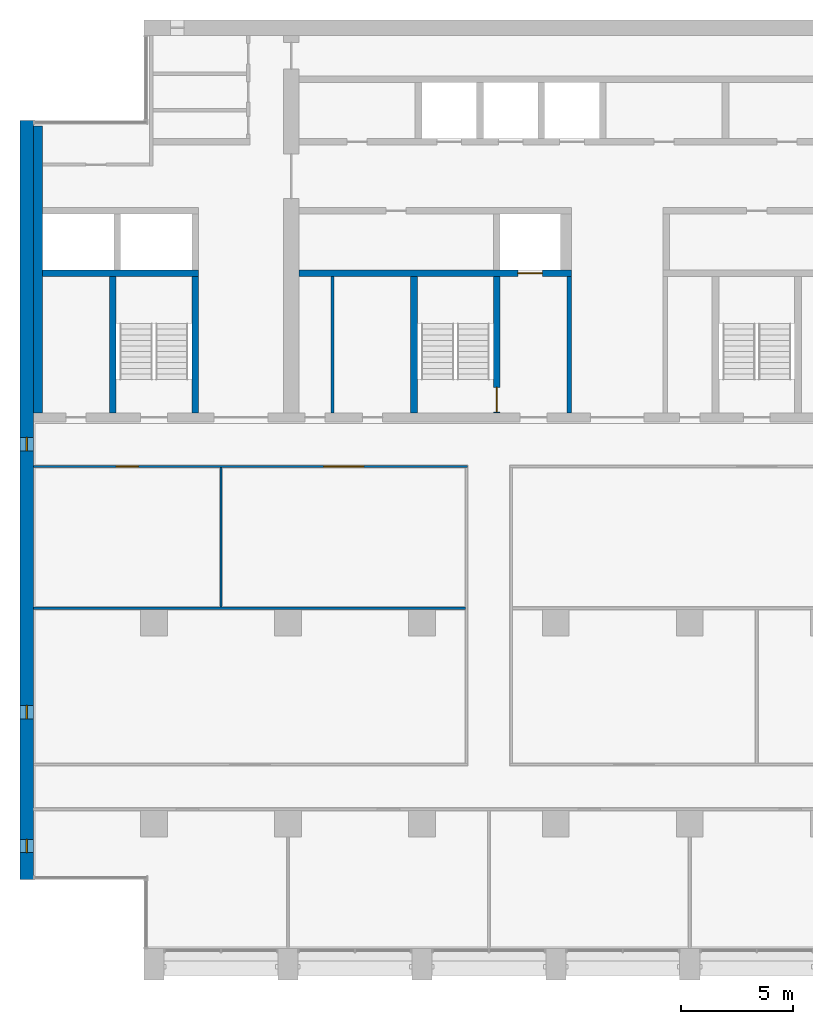
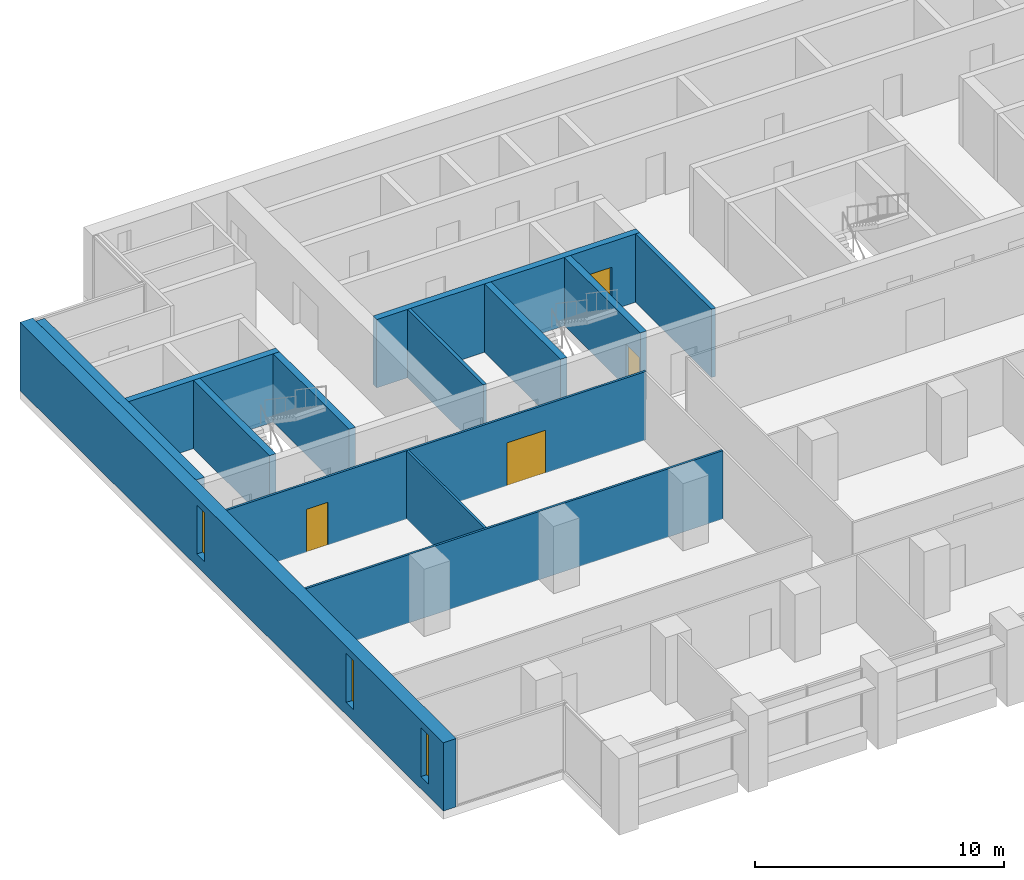
# One storey, part 8 of 17: 13 walls, 4 doors, 3 windows, 7 openings.
"""IFC4 building model written with IfcOpenShell, lengths in metres."""

from ifc_helpers import new_model, si_unit, direction, frame, frame_2d, origin, place, context, subcontext, project, spatial, rectangle, extrude, material, layer, layer_set, type_object, element, fill, save


model = new_model("IFC4")

# Units and contexts
model_context = context("Model", 3, precision=1e-05, world=origin(), true_north=direction((0.0, 1.0)))
body_context = subcontext(model_context, "Body", "Model", "MODEL_VIEW")
ifc_project = project(units=[si_unit("LENGTHUNIT", "METRE"), si_unit("AREAUNIT", "SQUARE_METRE"), si_unit("VOLUMEUNIT", "CUBIC_METRE"), si_unit("PLANEANGLEUNIT", "RADIAN"), si_unit("MASSUNIT", "GRAM", prefix="KILO")], contexts=[model_context])

# Site, building, storey
site_placement = place(None, origin())
site = spatial("IfcSite", under=ifc_project, at=site_placement, CompositionType="ELEMENT")
building_placement = place(site_placement, origin())
building = spatial("IfcBuilding", under=site, at=building_placement, Name="Calvaro Tower", CompositionType="ELEMENT")
storey_placement = place(building_placement, frame((0.0, 0.0, 174.25)))
storey = spatial("IfcBuildingStorey", under=building, at=storey_placement, Name="L43", CompositionType="ELEMENT", Elevation=174.25)

# Walls
ifc_material_1 = material(Name="Blockwork partition", Category="masonry")
ifc_layer_1 = layer(ifc_material_1, 0.14990234375)
ifc_layer_set_1 = layer_set([ifc_layer_1], Name="Blockwork partition")
wall_type_1 = type_object("IfcWallType", Name="Core partition 150 REI 120", PredefinedType="PARTITIONING", material=ifc_layer_set_1)
wall_1_placement = place(storey_placement, frame((20.0, 28.39990234375, 0.0), z_axis=(0.0, 0.0, 1.0), x_axis=(0.0, 1.0, 0.0)))
element("IfcWall", 1, at=wall_1_placement, inside=storey, type_object=wall_type_1, Name="Core partition", PredefinedType="PARTITIONING", context=body_context, shape_type="SweptSolid", body=[
    extrude(rectangle(XDim=6.10009765625, YDim=0.14990234375, at=frame_2d((3.050048828125, 0.0))), origin(), (0.0, 0.0, 1.0), 3.35009765625),
])
ifc_material_2 = material(Name="Blockwork partition", Category="masonry")
ifc_layer_2 = layer(ifc_material_2, 0.199951171875)
ifc_layer_set_2 = layer_set([ifc_layer_2], Name="Blockwork partition")
wall_type_2 = type_object("IfcWallType", Name="Core partition 200 REI 120", PredefinedType="PARTITIONING", material=ifc_layer_set_2)
wall_2_placement = place(storey_placement, frame((30.60009765625, 28.39990234375, 0.0), z_axis=(0.0, 0.0, 1.0), x_axis=(0.0, 1.0, 0.0)))
element("IfcWall", 2, at=wall_2_placement, inside=storey, type_object=wall_type_2, Name="Core partition", PredefinedType="PARTITIONING", context=body_context, shape_type="SweptSolid", body=[
    extrude(rectangle(XDim=6.10009765625, YDim=0.199951171875, at=frame_2d((3.050048828125, 0.0))), origin(), (0.0, 0.0, 1.0), 3.35009765625),
])
ifc_material_3 = material(Name="Concrete C50/60", Category="concrete")
ifc_layer_3 = layer(ifc_material_3, 0.300048828125)
ifc_layer_set_3 = layer_set([ifc_layer_3], Name="Concrete C50/60")
wall_type_3 = type_object("IfcWallType", Name="Core wall C50/60 300", PredefinedType="SHEAR", material=ifc_layer_set_3)
for number, where, z_axis, x_axis, name in (
    (3, (10.14990234375, 28.39990234375, 0.0), (0.0, 0.0, 1.0), (0.0, 1.0, 0.0), "Core wall, stair enclosure"),
    (4, (13.85009765625, 28.39990234375, 0.0), (0.0, 0.0, 1.0), (0.0, 1.0, 0.0), "Core wall, stair enclosure"),
    (5, (23.64990234375, 28.39990234375, 0.0), (0.0, 0.0, 1.0), (0.0, 1.0, 0.0), "Core wall, stair enclosure"),
):
    element("IfcWall", number, at=place(storey_placement, frame(where, z_axis=z_axis, x_axis=x_axis)), inside=storey, type_object=wall_type_3, Name=name, PredefinedType="SHEAR", context=body_context, shape_type="SweptSolid", body=[
        extrude(rectangle(XDim=6.10009765625, YDim=0.300048828125, at=frame_2d((3.050048828125, 0.0))), origin(), (0.0, 0.0, 1.0), 3.35009765625),
    ])

# Wall, opening, door
wall_3_placement = place(storey_placement, frame((27.35009765625, 28.39990234375, 0.0), z_axis=(0.0, 0.0, 1.0), x_axis=(0.0, 1.0, 0.0)))
wall_3 = element("IfcWall", 6, at=wall_3_placement, inside=storey, type_object=wall_type_3, Name="Core wall, stair enclosure", PredefinedType="SHEAR", context=body_context, shape_type="SweptSolid", body=[
    extrude(rectangle(XDim=6.10009765625, YDim=0.300048828125, at=frame_2d((3.050048828125, 0.0))), origin(), (0.0, 0.0, 1.0), 3.35009765625),
])
opening_1_placement = place(wall_3_placement, frame((0.050048828125, 0.0, 0.0)))
opening_1 = element("IfcOpeningElement", 7, at=opening_1_placement, cuts=wall_3, Name="Opening FD11D", PredefinedType="OPENING", context=body_context, shape_type="SweptSolid", body=[
    extrude(rectangle(XDim=1.10009765625, YDim=2.10009765625, at=frame_2d((0.550048828125, 1.050048828125))), frame((0.0, 0.159912109375, 0.0), z_axis=(0.0, -1.0, 0.0), x_axis=(1.0, 0.0, 0.0)), (0.0, 0.0, 1.0), 0.320068359375),
])
ifc_material_4 = material(Name="Steel door set", Category="steel")
door_type_1 = type_object("IfcDoorType", Name="Fire door 1100 FD30S", OperationType="SINGLE_SWING_LEFT", PredefinedType="DOOR", material=ifc_material_4)
door_1_placement = place(opening_1_placement, origin())
door_1 = element("IfcDoor", 8, at=door_1_placement, inside=storey, type_object=door_type_1, Name="Fire door", OperationType="SINGLE_SWING_LEFT", OverallHeight=2.10009765625, OverallWidth=1.10009765625, PredefinedType="DOOR", context=body_context, shape_type="SweptSolid", body=[
    extrude(rectangle(XDim=1.10009765625, YDim=2.10009765625, at=frame_2d((0.550048828125, 1.050048828125))), frame((0.0, 0.02490234375, 0.0), z_axis=(0.0, -1.0, 0.0), x_axis=(1.0, 0.0, 0.0)), (0.0, 0.0, 1.0), 0.050048828125),
])
fill(opening_1, door_1)

# Wall
wall_4_placement = place(storey_placement, frame((7.0, 34.64990234375, 0.0), z_axis=(0.0, 0.0, 1.0), x_axis=(1.0, 0.0, 0.0)))
element("IfcWall", 9, at=wall_4_placement, inside=storey, type_object=wall_type_3, Name="Core wall, lift shaft", PredefinedType="SHEAR", context=body_context, shape_type="SweptSolid", body=[
    extrude(rectangle(XDim=7.0, YDim=0.300048828125, at=frame_2d((3.5, 0.0))), origin(), (0.0, 0.0, 1.0), 3.35009765625),
])

# Wall, opening, door
wall_5_placement = place(storey_placement, frame((18.5, 34.64990234375, 0.0), z_axis=(0.0, 0.0, 1.0), x_axis=(1.0, 0.0, 0.0)))
wall_5 = element("IfcWall", 10, at=wall_5_placement, inside=storey, type_object=wall_type_3, Name="Core wall, lift shaft", PredefinedType="SHEAR", context=body_context, shape_type="SweptSolid", body=[
    extrude(rectangle(XDim=12.199951171875, YDim=0.300048828125, at=frame_2d((6.10009765625, 0.0))), origin(), (0.0, 0.0, 1.0), 3.35009765625),
])
opening_2_placement = place(wall_5_placement, frame((9.800048828125, 0.0, 0.0)))
opening_2 = element("IfcOpeningElement", 11, at=opening_2_placement, cuts=wall_5, Name="Opening FF1", PredefinedType="OPENING", context=body_context, shape_type="SweptSolid", body=[
    extrude(rectangle(XDim=1.10009765625, YDim=2.10009765625, at=frame_2d((0.550048828125, 1.050048828125))), frame((0.0, 0.159912109375, 0.0), z_axis=(0.0, -1.0, 0.0), x_axis=(1.0, 0.0, 0.0)), (0.0, 0.0, 1.0), 0.320068359375),
])
ifc_material_5 = material(Name="Stainless steel", Category="steel")
door_type_2 = type_object("IfcDoorType", Name="Landing door 1100 E 60", OperationType="SLIDING_TO_LEFT", PredefinedType="DOOR", material=ifc_material_5)
door_2_placement = place(opening_2_placement, origin())
door_2 = element("IfcDoor", 12, at=door_2_placement, inside=storey, type_object=door_type_2, Name="Landing door FF1", OperationType="SLIDING_TO_LEFT", OverallHeight=2.10009765625, OverallWidth=1.10009765625, PredefinedType="DOOR", context=body_context, shape_type="SweptSolid", body=[
    extrude(rectangle(XDim=1.10009765625, YDim=2.10009765625, at=frame_2d((0.550048828125, 1.050048828125))), frame((0.0, 0.02490234375, 0.0), z_axis=(0.0, -1.0, 0.0), x_axis=(1.0, 0.0, 0.0)), (0.0, 0.0, 1.0), 0.050048828125),
])
fill(opening_2, door_2)

# Wall
ifc_material_6 = material(Name="Concrete C50/60", Category="concrete")
ifc_layer_4 = layer(ifc_material_6, 0.39990234375)
ifc_layer_set_4 = layer_set([ifc_layer_4], Name="Concrete C50/60")
wall_type_4 = type_object("IfcWallType", Name="Core wall C50/60 400", PredefinedType="SHEAR", material=ifc_layer_set_4)
wall_6_placement = place(storey_placement, frame((6.800048828125, 28.39990234375, 0.0), z_axis=(0.0, 0.0, 1.0), x_axis=(0.0, 1.0, 0.0)))
element("IfcWall", 13, at=wall_6_placement, inside=storey, type_object=wall_type_4, Name="Core wall, boundary", PredefinedType="SHEAR", context=body_context, shape_type="SweptSolid", body=[
    extrude(rectangle(XDim=12.85009765625, YDim=0.39990234375, at=frame_2d((6.425048828125, 0.0))), origin(), (0.0, 0.0, 1.0), 3.35009765625),
])

# Wall, openings, windows
ifc_material_7 = material(Name="Concrete C50/60", Category="concrete")
ifc_layer_5 = layer(ifc_material_7, 0.60009765625)
ifc_layer_set_5 = layer_set([ifc_layer_5], Name="Concrete C50/60")
wall_type_5 = type_object("IfcWallType", Name="End wall 600 C50/60", PredefinedType="SHEAR", material=ifc_layer_set_5)
wall_7_placement = place(storey_placement, frame((6.300048828125, 7.5, 0.0), z_axis=(0.0, 0.0, 1.0), x_axis=(0.0, 1.0, 0.0)))
wall_7 = element("IfcWall", 14, at=wall_7_placement, inside=storey, type_object=wall_type_5, Name="End shear wall", PredefinedType="SHEAR", context=body_context, shape_type="SweptSolid", body=[
    extrude(rectangle(XDim=34.0, YDim=0.60009765625, at=frame_2d((17.0, 0.0))), origin(), (0.0, 0.0, 1.0), 3.35009765625),
])
opening_3_placement = place(wall_7_placement, frame((1.199951171875, 0.0, 0.60009765625)))
opening_3 = element("IfcOpeningElement", 15, at=opening_3_placement, cuts=wall_7, Name="Opening WW01", PredefinedType="OPENING", context=body_context, shape_type="SweptSolid", body=[
    extrude(rectangle(XDim=0.60009765625, YDim=2.39990234375, at=frame_2d((0.300048828125, 1.199951171875))), frame((0.0, 0.31005859375, 0.0), z_axis=(0.0, -1.0, 0.0), x_axis=(1.0, 0.0, 0.0)), (0.0, 0.0, 1.0), 0.6201171875),
])
opening_4_placement = place(wall_7_placement, frame((7.199951171875, 0.0, 0.60009765625)))
opening_4 = element("IfcOpeningElement", 16, at=opening_4_placement, cuts=wall_7, Name="Opening WW02", PredefinedType="OPENING", context=body_context, shape_type="SweptSolid", body=[
    extrude(rectangle(XDim=0.60009765625, YDim=2.39990234375, at=frame_2d((0.300048828125, 1.199951171875))), frame((0.0, 0.31005859375, 0.0), z_axis=(0.0, -1.0, 0.0), x_axis=(1.0, 0.0, 0.0)), (0.0, 0.0, 1.0), 0.6201171875),
])
opening_5_placement = place(wall_7_placement, frame((19.199951171875, 0.0, 0.60009765625)))
opening_5 = element("IfcOpeningElement", 17, at=opening_5_placement, cuts=wall_7, Name="Opening WW04", PredefinedType="OPENING", context=body_context, shape_type="SweptSolid", body=[
    extrude(rectangle(XDim=0.60009765625, YDim=2.39990234375, at=frame_2d((0.300048828125, 1.199951171875))), frame((0.0, 0.31005859375, 0.0), z_axis=(0.0, -1.0, 0.0), x_axis=(1.0, 0.0, 0.0)), (0.0, 0.0, 1.0), 0.6201171875),
])
ifc_material_8 = material(Name="Glass", Category="glass")
window_type = type_object("IfcWindowType", Name="Slit window 600 x 2400", PartitioningType="SINGLE_PANEL", PredefinedType="WINDOW", material=ifc_material_8)
window_1_placement = place(opening_3_placement, origin())
window_1 = element("IfcWindow", 18, at=window_1_placement, inside=storey, type_object=window_type, Name="Window WW01", OverallHeight=2.39990234375, OverallWidth=0.60009765625, PartitioningType="SINGLE_PANEL", PredefinedType="WINDOW", context=body_context, shape_type="SweptSolid", body=[
    extrude(rectangle(XDim=0.60009765625, YDim=2.39990234375, at=frame_2d((0.300048828125, 1.199951171875))), frame((0.0, 0.030029296875, 0.0), z_axis=(0.0, -1.0, 0.0), x_axis=(1.0, 0.0, 0.0)), (0.0, 0.0, 1.0), 0.06005859375),
])
fill(opening_3, window_1)
window_2_placement = place(opening_4_placement, origin())
window_2 = element("IfcWindow", 19, at=window_2_placement, inside=storey, type_object=window_type, Name="Window WW02", OverallHeight=2.39990234375, OverallWidth=0.60009765625, PartitioningType="SINGLE_PANEL", PredefinedType="WINDOW", context=body_context, shape_type="SweptSolid", body=[
    extrude(rectangle(XDim=0.60009765625, YDim=2.39990234375, at=frame_2d((0.300048828125, 1.199951171875))), frame((0.0, 0.030029296875, 0.0), z_axis=(0.0, -1.0, 0.0), x_axis=(1.0, 0.0, 0.0)), (0.0, 0.0, 1.0), 0.06005859375),
])
fill(opening_4, window_2)
window_3_placement = place(opening_5_placement, origin())
window_3 = element("IfcWindow", 20, at=window_3_placement, inside=storey, type_object=window_type, Name="Window WW04", OverallHeight=2.39990234375, OverallWidth=0.60009765625, PartitioningType="SINGLE_PANEL", PredefinedType="WINDOW", context=body_context, shape_type="SweptSolid", body=[
    extrude(rectangle(XDim=0.60009765625, YDim=2.39990234375, at=frame_2d((0.300048828125, 1.199951171875))), frame((0.0, 0.030029296875, 0.0), z_axis=(0.0, -1.0, 0.0), x_axis=(1.0, 0.0, 0.0)), (0.0, 0.0, 1.0), 0.06005859375),
])
fill(opening_5, window_3)

# Wall
ifc_material_9 = material(Name="Plasterboard on steel studs", Category="steel")
ifc_layer_6 = layer(ifc_material_9, 0.10009765625)
ifc_layer_set_6 = layer_set([ifc_layer_6], Name="Plasterboard on steel studs")
wall_type_6 = type_object("IfcWallType", Name="Partition 100", PredefinedType="PARTITIONING", material=ifc_layer_set_6)
wall_8_placement = place(storey_placement, frame((6.60009765625, 19.64990234375, 0.0), z_axis=(0.0, 0.0, 1.0), x_axis=(1.0, 0.0, 0.0)))
element("IfcWall", 21, at=wall_8_placement, inside=storey, type_object=wall_type_6, Name="Partition T25.W005", PredefinedType="PARTITIONING", context=body_context, shape_type="SweptSolid", body=[
    extrude(rectangle(XDim=19.349853515625, YDim=0.10009765625, at=frame_2d((9.6748046875, 0.0))), origin(), (0.0, 0.0, 1.0), 3.35009765625),
])

# Wall, openings, doors
ifc_material_10 = material(Name="Plasterboard on steel studs", Category="steel")
ifc_layer_7 = layer(ifc_material_10, 0.10009765625)
ifc_layer_set_7 = layer_set([ifc_layer_7], Name="Plasterboard on steel studs")
wall_type_7 = type_object("IfcWallType", Name="Partition 100 REI 120", PredefinedType="PARTITIONING", material=ifc_layer_set_7)
wall_9_placement = place(storey_placement, frame((6.60009765625, 26.0, 0.0), z_axis=(0.0, 0.0, 1.0), x_axis=(1.0, 0.0, 0.0)))
wall_9 = element("IfcWall", 22, at=wall_9_placement, inside=storey, type_object=wall_type_7, Name="Partition T25.W008", PredefinedType="PARTITIONING", context=body_context, shape_type="SweptSolid", body=[
    extrude(rectangle(XDim=19.449951171875, YDim=0.10009765625, at=frame_2d((9.72509765625, 0.0))), origin(), (0.0, 0.0, 1.0), 3.35009765625),
])
opening_6_placement = place(wall_9_placement, frame((3.699951171875, 0.0, 0.0)))
opening_6 = element("IfcOpeningElement", 23, at=opening_6_placement, cuts=wall_9, Name="Opening T25.012", PredefinedType="OPENING", context=body_context, shape_type="SweptSolid", body=[
    extrude(rectangle(XDim=1.0, YDim=2.10009765625, at=frame_2d((0.5, 1.050048828125))), frame((0.0, 0.06005859375, 0.0), z_axis=(0.0, -1.0, 0.0), x_axis=(1.0, 0.0, 0.0)), (0.0, 0.0, 1.0), 0.1201171875),
])
opening_7_placement = place(wall_9_placement, frame((13.0, 0.0, 0.0)))
opening_7 = element("IfcOpeningElement", 24, at=opening_7_placement, cuts=wall_9, Name="Opening T25.013", PredefinedType="OPENING", context=body_context, shape_type="SweptSolid", body=[
    extrude(rectangle(XDim=1.800048828125, YDim=2.10009765625, at=frame_2d((0.89990234375, 1.050048828125))), frame((0.0, 0.06005859375, 0.0), z_axis=(0.0, -1.0, 0.0), x_axis=(1.0, 0.0, 0.0)), (0.0, 0.0, 1.0), 0.1201171875),
])
ifc_material_11 = material(Name="Timber", Category="wood")
door_type_3 = type_object("IfcDoorType", Name="Internal double door 1800 x 2100", OperationType="DOUBLE_DOOR_SINGLE_SWING", PredefinedType="DOOR", material=ifc_material_11)
door_3_placement = place(opening_7_placement, origin())
door_3 = element("IfcDoor", 25, at=door_3_placement, inside=storey, type_object=door_type_3, Name="Door T25.013", OperationType="DOUBLE_DOOR_SINGLE_SWING", OverallHeight=2.10009765625, OverallWidth=1.800048828125, PredefinedType="DOOR", context=body_context, shape_type="SweptSolid", body=[
    extrude(rectangle(XDim=1.800048828125, YDim=2.10009765625, at=frame_2d((0.89990234375, 1.050048828125))), frame((0.0, 0.02490234375, 0.0), z_axis=(0.0, -1.0, 0.0), x_axis=(1.0, 0.0, 0.0)), (0.0, 0.0, 1.0), 0.050048828125),
])
fill(opening_7, door_3)
ifc_material_12 = material(Name="Timber", Category="wood")
door_type_4 = type_object("IfcDoorType", Name="Internal single door 1000 x 2100 FD60", OperationType="SINGLE_SWING_LEFT", PredefinedType="DOOR", material=ifc_material_12)
door_4_placement = place(opening_6_placement, origin())
door_4 = element("IfcDoor", 26, at=door_4_placement, inside=storey, type_object=door_type_4, Name="Door T25.012", OperationType="SINGLE_SWING_LEFT", OverallHeight=2.10009765625, OverallWidth=1.0, PredefinedType="DOOR", context=body_context, shape_type="SweptSolid", body=[
    extrude(rectangle(XDim=1.0, YDim=2.10009765625, at=frame_2d((0.5, 1.050048828125))), frame((0.0, 0.02490234375, 0.0), z_axis=(0.0, -1.0, 0.0), x_axis=(1.0, 0.0, 0.0)), (0.0, 0.0, 1.0), 0.050048828125),
])
fill(opening_6, door_4)

# Wall
wall_10_placement = place(storey_placement, frame((15.0, 19.699951171875, 0.0), z_axis=(0.0, 0.0, 1.0), x_axis=(0.0, 1.0, 0.0)))
element("IfcWall", 27, at=wall_10_placement, inside=storey, type_object=wall_type_7, Name="Partition T25.W012", PredefinedType="PARTITIONING", context=body_context, shape_type="SweptSolid", body=[
    extrude(rectangle(XDim=6.25, YDim=0.10009765625, at=frame_2d((3.125, 0.0))), origin(), (0.0, 0.0, 1.0), 3.35009765625),
])

save(model, "model.ifc")
